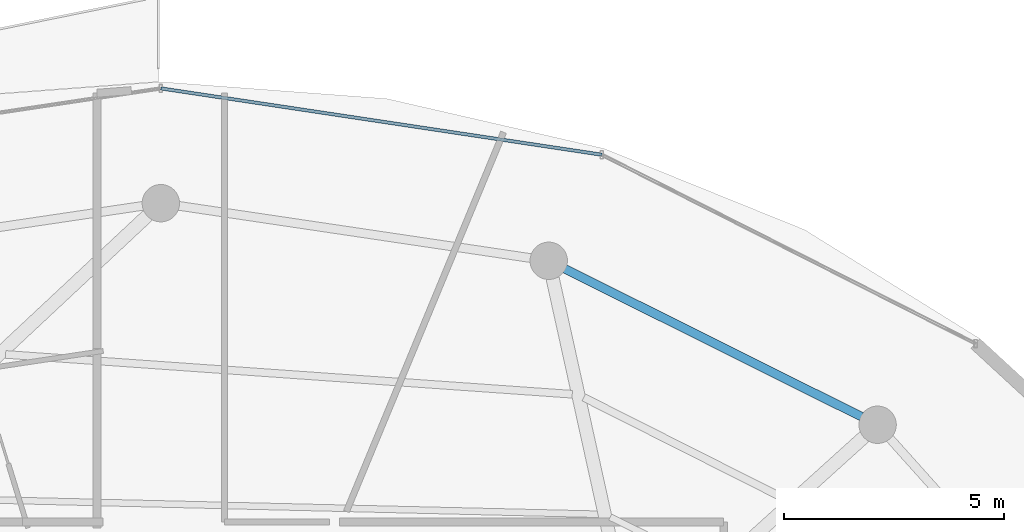
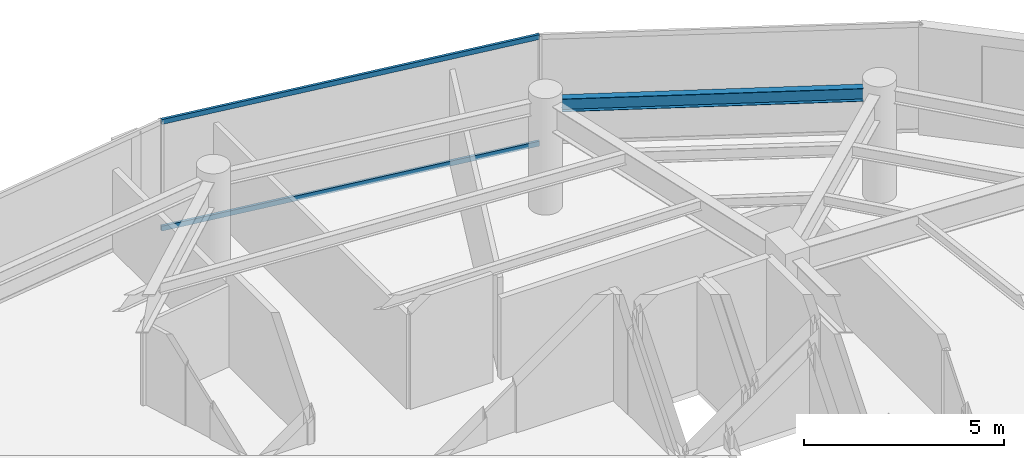
# One storey, part 19 of 30: 2 members, 1 beam, 1 element without a shape of its own.
"""IFC4 building model written with IfcOpenShell, lengths in metres."""

from ifc_helpers import new_model, si_unit, direction, frame, origin, origin_2d, place, context, subcontext, project, spatial, hollow_rectangle, i_section, extrude, material, material_profile, profile_set, type_object, element, aggregate, save


model = new_model("IFC4")

# Units and contexts
model_context = context("Model", 3, precision=1e-05, world=origin(), true_north=direction((0.0, 1.0)))
body_context = subcontext(model_context, "Body", "Model", "MODEL_VIEW")
ifc_project = project(units=[si_unit("LENGTHUNIT", "METRE"), si_unit("AREAUNIT", "SQUARE_METRE"), si_unit("VOLUMEUNIT", "CUBIC_METRE"), si_unit("PLANEANGLEUNIT", "RADIAN"), si_unit("MASSUNIT", "GRAM", prefix="KILO")], contexts=[model_context])

# Site, building, storey
site_placement = place(None, origin())
site = spatial("IfcSite", under=ifc_project, at=site_placement, CompositionType="ELEMENT")
building_placement = place(site_placement, origin())
building = spatial("IfcBuilding", under=site, at=building_placement, Name="Vorneva Point Tower", CompositionType="ELEMENT")
storey_placement = place(building_placement, frame((0.0, 0.0, 237.800048828125)))
storey = spatial("IfcBuildingStorey", under=building, at=storey_placement, Name="L64", CompositionType="ELEMENT", Elevation=237.800048828125)

# Beam
ifc_material_1 = material(Name="Steel S355", Category="steel")
ifc_material_profile_1 = material_profile(ifc_material_1, i_section(OverallWidth=0.198974609375, OverallDepth=0.39599609375, WebThickness=0.007080078125, FlangeThickness=0.010986328125, at=origin_2d()), Name="40B1")
ifc_profile_set_1 = profile_set([ifc_material_profile_1], Name="Steel S355")
beam_type = type_object("IfcBeamType", Name="BM-SPN-40B1", PredefinedType="SPANDREL", material=ifc_profile_set_1)
beam_placement = place(storey_placement, frame((53.931884765625, 38.34521484375, 3.092041015625), z_axis=(-0.894932011528, 0.446202526599, 0.0), x_axis=(-0.446202526599, -0.894932011528, 0.0)))
element("IfcBeam", 1, at=beam_placement, inside=storey, type_object=beam_type, Name="L64 Perimeter Spandrel Ring Beam 03", PredefinedType="SPANDREL", context=body_context, shape_type="SweptSolid", body=[
    extrude(i_section(OverallWidth=0.198974609375, OverallDepth=0.39599609375, WebThickness=0.007080078125, FlangeThickness=0.010986328125, at=origin_2d()), origin(), (0.0, 0.0, 1.0), 7.535888671875),
])

# Curtain wall, members
ifc_material_2 = material(Name="Pale anodised aluminium", Category="aluminium")
curtain_wall_type = type_object("IfcCurtainWallType", Name="CW-RES-SYS", PredefinedType="NOTDEFINED", material=ifc_material_2)
curtain_wall_placement = place(storey_placement, origin())
curtain_wall = element("IfcCurtainWall", 2, at=curtain_wall_placement, inside=storey, type_object=curtain_wall_type, Name="L64 Unitised Curtain Wall CW-L64-R02", PredefinedType="NOTDEFINED")
ifc_material_profile_2 = material_profile(ifc_material_2, hollow_rectangle(XDim=0.074951171875, YDim=0.14990234375, WallThickness=0.00390625, at=origin_2d()), Name="AL-TRN 150x75x4")
ifc_profile_set_2 = profile_set([ifc_material_profile_2], Name="Pale anodised aluminium")
member_type = type_object("IfcMemberType", Name="CW-TRN-150", PredefinedType="USERDEFINED", material=ifc_profile_set_2)
member_1_placement = place(storey_placement, frame((48.0263671875, 44.302001953125, 0.02001953125), z_axis=(-0.988876929856, 0.148736066907, 0.0), x_axis=(-0.148736066907, -0.988876929856, 0.0)))
member_1 = element("IfcMember", 3, at=member_1_placement, type_object=member_type, Name="CW-L64-R02 Transom 02.1", ObjectType="TRANSOM", PredefinedType="USERDEFINED", context=body_context, shape_type="SweptSolid", body=[
    extrude(hollow_rectangle(XDim=0.074951171875, YDim=0.14990234375, WallThickness=0.00390625, at=origin_2d()), origin(), (0.0, 0.0, 1.0), 10.13916015625),
])
member_2_placement = place(storey_placement, frame((48.0263671875, 44.302001953125, 3.27001953125), z_axis=(-0.988876929856, 0.148736066907, 0.0), x_axis=(-0.148736066907, -0.988876929856, 0.0)))
member_2 = element("IfcMember", 4, at=member_2_placement, type_object=member_type, Name="CW-L64-R02 Transom 02.2", ObjectType="TRANSOM", PredefinedType="USERDEFINED", context=body_context, shape_type="SweptSolid", body=[
    extrude(hollow_rectangle(XDim=0.074951171875, YDim=0.14990234375, WallThickness=0.00390625, at=origin_2d()), origin(), (0.0, 0.0, 1.0), 10.13916015625),
])
aggregate(curtain_wall, [member_1, member_2])

save(model, "model.ifc")
